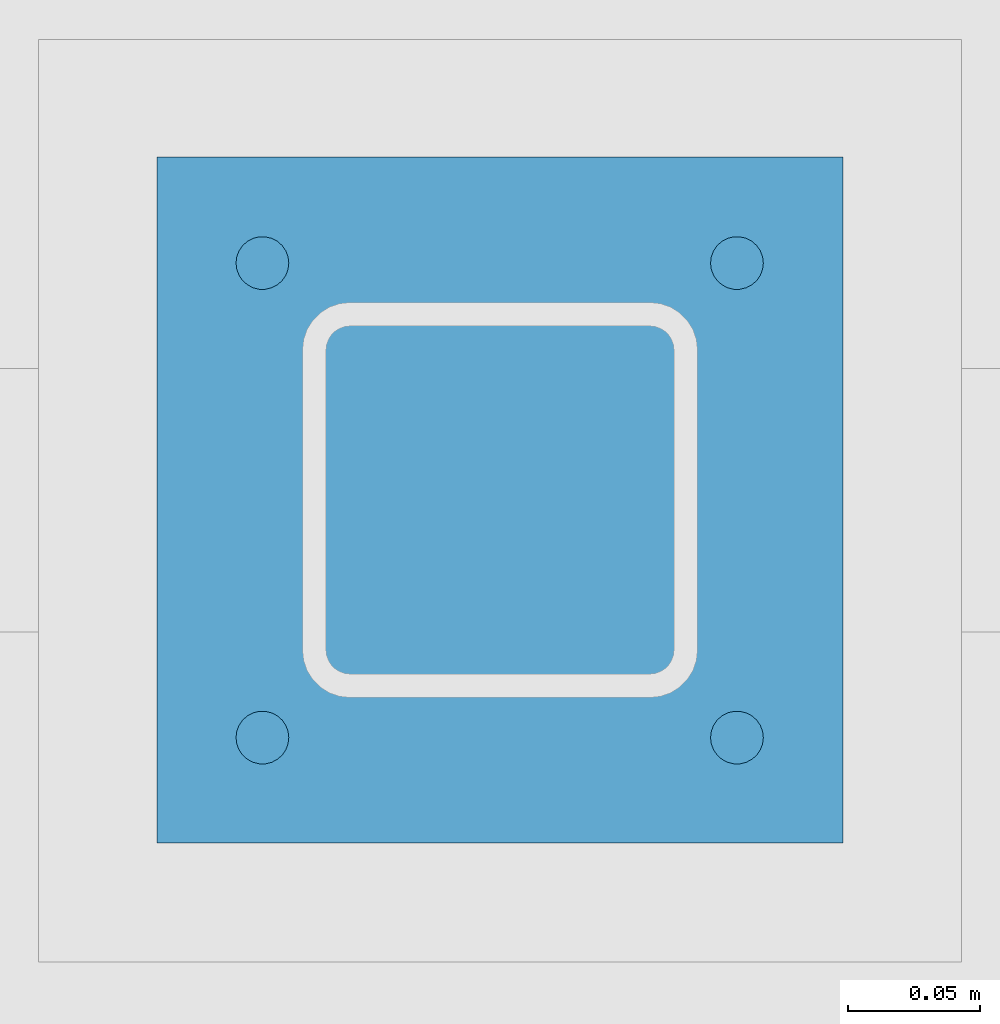
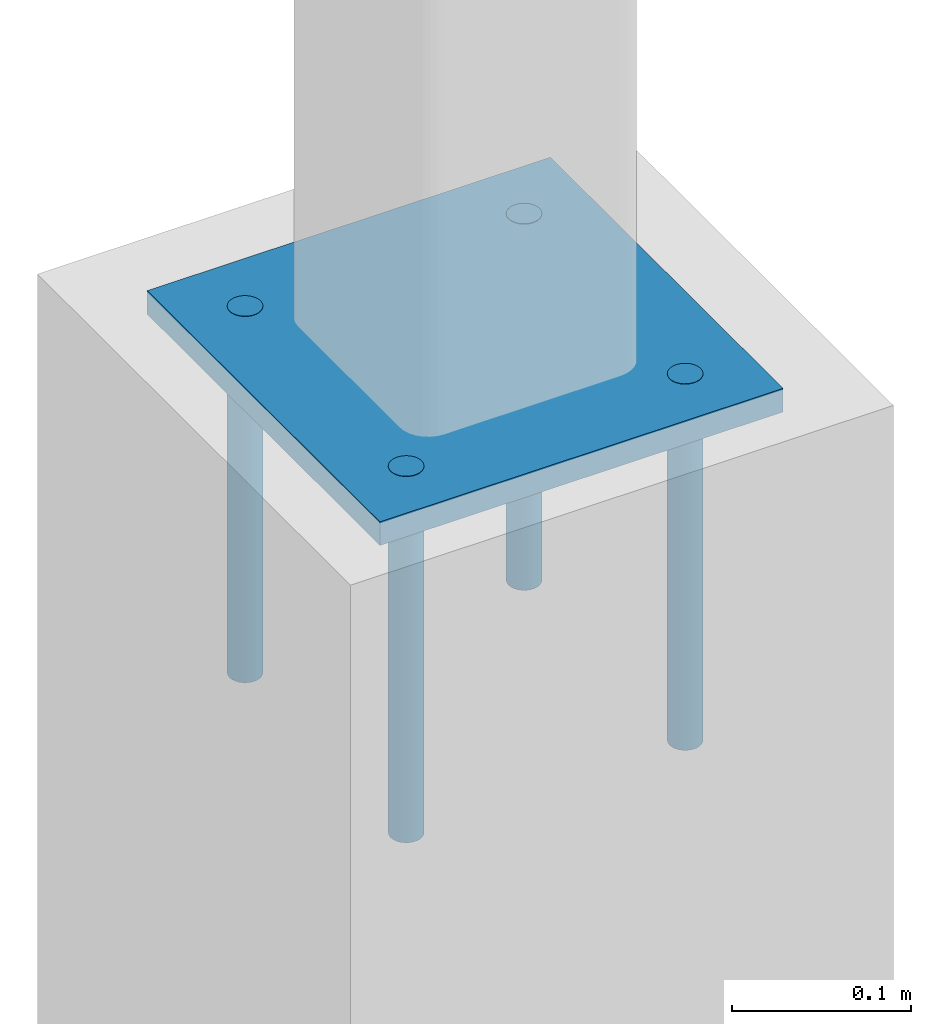
# One storey, part 9 of 10: 4 mechanical fasteners, 1 discrete accessory.
"""IFC4 building model written with IfcOpenShell, lengths in metres."""

from ifc_helpers import new_model, si_unit, direction, frame, origin, origin_2d, place, context, subcontext, project, spatial, rectangle, circle, extrude, material, element, save


model = new_model("IFC4")

# Units and contexts
model_context = context("Model", 3, precision=1e-05, world=origin(), true_north=direction((0.0, 1.0)))
body_context = subcontext(model_context, "Body", "Model", "MODEL_VIEW")
ifc_project = project(units=[si_unit("LENGTHUNIT", "METRE"), si_unit("AREAUNIT", "SQUARE_METRE"), si_unit("VOLUMEUNIT", "CUBIC_METRE"), si_unit("PLANEANGLEUNIT", "RADIAN"), si_unit("MASSUNIT", "GRAM", prefix="KILO")], contexts=[model_context])

# Site, building, storey
site_placement = place(None, origin())
site = spatial("IfcSite", under=ifc_project, at=site_placement, CompositionType="ELEMENT")
building_placement = place(site_placement, origin())
building = spatial("IfcBuilding", under=site, at=building_placement, Name="Silangan Lancet Faculty of Sciences", CompositionType="ELEMENT")
storey_placement = place(building_placement, frame((0.0, 0.0, 81.300048828125)))
storey = spatial("IfcBuildingStorey", under=building, at=storey_placement, Name="ROOF", CompositionType="ELEMENT", Elevation=81.300048828125)

# Discrete accessory
ifc_material_1 = material(Name="Steel SS400", Category="steel")
discrete_accessory_placement = place(storey_placement, frame((28.800048828125, 14.10009765625, 6.3837890625), z_axis=(0.0, 0.0, 1.0), x_axis=(1.0, 0.0, 0.0)))
element("IfcDiscreteAccessory", 1, at=discrete_accessory_placement, inside=storey, material=ifc_material_1, Name="Pinnacle seat plate RS3 ST-NE", PredefinedType="ANCHORPLATE", context=body_context, shape_type="SweptSolid", body=[
    extrude(rectangle(XDim=0.260009765625, YDim=0.260009765625, at=origin_2d()), origin(), (0.0, 0.0, 1.0), 0.01611328125),
])

# Mechanical fasteners
ifc_material_2 = material(Name="Steel grade 8.8", Category="steel")
for number, where, z_axis, x_axis, name in (
    (2, (28.7099609375, 14.010009765625, 6.14990234375), (0.0, 0.0, 1.0), (1.0, 0.0, 0.0), "Anchor bolt RS3 ST-NE-1"),
    (3, (28.7099609375, 14.18994140625, 6.14990234375), (0.0, 0.0, 1.0), (1.0, 0.0, 0.0), "Anchor bolt RS3 ST-NE-2"),
    (4, (28.889892578125, 14.010009765625, 6.14990234375), (0.0, 0.0, 1.0), (1.0, 0.0, 0.0), "Anchor bolt RS3 ST-NE-3"),
    (5, (28.889892578125, 14.18994140625, 6.14990234375), (0.0, 0.0, 1.0), (1.0, 0.0, 0.0), "Anchor bolt RS3 ST-NE-4"),
):
    element("IfcMechanicalFastener", number, at=place(storey_placement, frame(where, z_axis=z_axis, x_axis=x_axis)), inside=storey, material=ifc_material_2, Name=name, NominalDiameter=0.02, NominalLength=0.25, PredefinedType="ANCHORBOLT", context=body_context, shape_type="SweptSolid", body=[
        extrude(circle(Radius=0.010009765625, at=origin_2d()), origin(), (0.0, 0.0, 1.0), 0.25),
    ])

save(model, "model.ifc")
